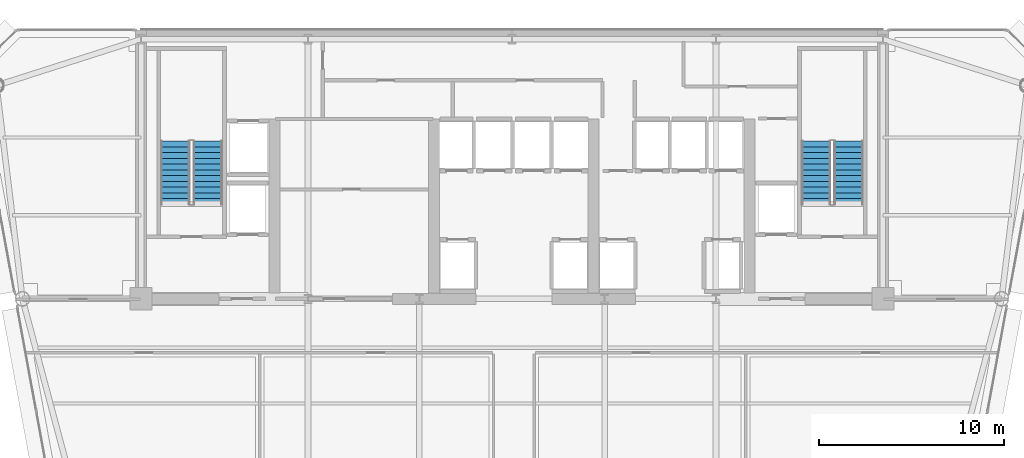
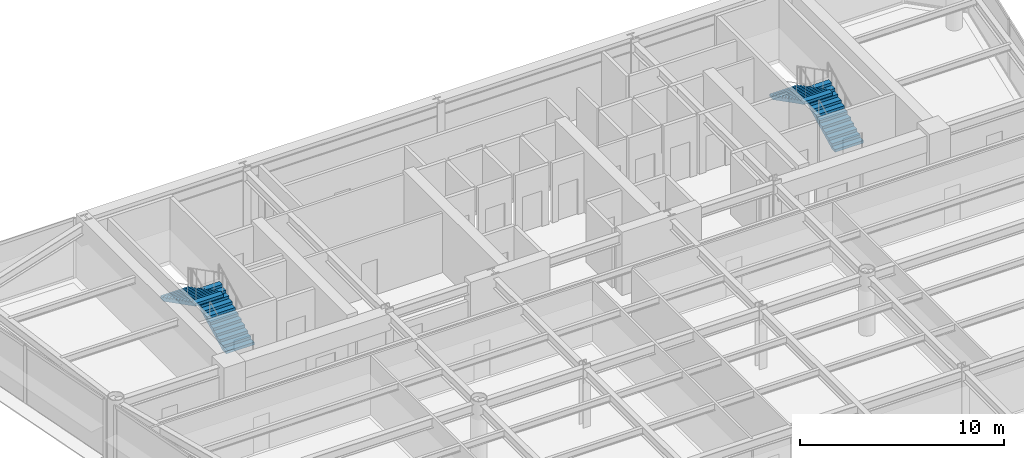
# One storey, part 11 of 15: 4 stair flights, 2 elements without a shape of their own.
"""IFC4 building model written with IfcOpenShell, lengths in metres."""

from ifc_helpers import new_model, si_unit, direction, frame, origin, place, context, subcontext, project, spatial, polyline, outline, extrude, material, type_object, element, aggregate, save


model = new_model("IFC4")

# Units and contexts
model_context = context("Model", 3, precision=1e-05, world=origin(), true_north=direction((0.0, 1.0)))
body_context = subcontext(model_context, "Body", "Model", "MODEL_VIEW")
ifc_project = project(units=[si_unit("LENGTHUNIT", "METRE"), si_unit("AREAUNIT", "SQUARE_METRE"), si_unit("VOLUMEUNIT", "CUBIC_METRE"), si_unit("PLANEANGLEUNIT", "RADIAN"), si_unit("MASSUNIT", "GRAM", prefix="KILO")], contexts=[model_context])

# Site, building, storey
site_placement = place(None, origin())
site = spatial("IfcSite", under=ifc_project, at=site_placement, CompositionType="ELEMENT")
building_placement = place(site_placement, origin())
building = spatial("IfcBuilding", under=site, at=building_placement, Name="Vaeldorn Concourse Tower", CompositionType="ELEMENT")
storey_placement = place(building_placement, frame((0.0, 0.0, 199.39990234375)))
storey = spatial("IfcBuildingStorey", under=building, at=storey_placement, Name="L51", CompositionType="ELEMENT", Elevation=199.39990234375)

# Stair, stair flights
ifc_material = material(Name="Precast concrete C40/50", Category="concrete")
stair_type = type_object("IfcStairType", Name="STR-DOG-24x158", PredefinedType="HALF_TURN_STAIR", material=ifc_material)
stair_1_placement = place(storey_placement, origin())
stair_1 = element("IfcStair", 1, at=stair_1_placement, inside=storey, type_object=stair_type, Name="L51 West Core Exit Stair ST-1", PredefinedType="HALF_TURN_STAIR")
stair_flight_type = type_object("IfcStairFlightType", Name="STF-STR-12x158", PredefinedType="STRAIGHT", material=ifc_material)
stair_flight_1_placement = place(storey_placement, frame((17.60009765625, 41.60009765625, 0.0), z_axis=(0.0, 0.0, 1.0), x_axis=(0.0, 1.0, 0.0)))
stair_flight_1 = element("IfcStairFlight", 2, at=stair_flight_1_placement, type_object=stair_flight_type, Name="ST-1 flight 1", NumberOfRisers=12, NumberOfTreads=11, PredefinedType="STRAIGHT", RiserHeight=0.158333333, TreadLength=0.31, context=body_context, shape_type="SweptSolid", body=[
    extrude(outline(polyline([(0.0, 0.0), (0.0, 0.158447265625), (0.31005859375, 0.158447265625), (0.31005859375, 0.316650390625), (0.6201171875, 0.316650390625), (0.6201171875, 0.47509765625), (0.929931640625, 0.47509765625), (0.929931640625, 0.63330078125), (1.239990234375, 0.63330078125), (1.239990234375, 0.791748046875), (1.550048828125, 0.791748046875), (1.550048828125, 0.949951171875), (1.860107421875, 0.949951171875), (1.860107421875, 1.1083984375), (2.169921875, 1.1083984375), (2.169921875, 1.2666015625), (2.47998046875, 1.2666015625), (2.47998046875, 1.425048828125), (2.7900390625, 1.425048828125), (2.7900390625, 1.583251953125), (3.10009765625, 1.583251953125), (3.10009765625, 1.74169921875), (3.409912109375, 1.74169921875), (3.409912109375, 1.89990234375), (3.409912109375, 1.5732421875), (0.32958984375, 0.0), (0.0, 0.0)])), frame((0.0, 0.800048828125, 0.0), z_axis=(0.0, -1.0, 0.0), x_axis=(1.0, 0.0, 0.0)), (0.0, 0.0, 1.0), 1.60009765625),
])
stair_flight_2_placement = place(storey_placement, frame((15.85009765625, 45.010009765625, 1.900146484375), z_axis=(0.0, 0.0, 1.0), x_axis=(0.0, -1.0, 0.0)))
stair_flight_2 = element("IfcStairFlight", 3, at=stair_flight_2_placement, type_object=stair_flight_type, Name="ST-1 flight 2", NumberOfRisers=12, NumberOfTreads=11, PredefinedType="STRAIGHT", RiserHeight=0.158333333, TreadLength=0.31, context=body_context, shape_type="SweptSolid", body=[
    extrude(outline(polyline([(0.0, 0.0), (0.0, 0.158447265625), (0.31005859375, 0.158447265625), (0.31005859375, 0.316650390625), (0.6201171875, 0.316650390625), (0.6201171875, 0.47509765625), (0.929931640625, 0.47509765625), (0.929931640625, 0.63330078125), (1.239990234375, 0.63330078125), (1.239990234375, 0.791748046875), (1.550048828125, 0.791748046875), (1.550048828125, 0.949951171875), (1.860107421875, 0.949951171875), (1.860107421875, 1.1083984375), (2.169921875, 1.1083984375), (2.169921875, 1.2666015625), (2.47998046875, 1.2666015625), (2.47998046875, 1.425048828125), (2.7900390625, 1.425048828125), (2.7900390625, 1.583251953125), (3.10009765625, 1.583251953125), (3.10009765625, 1.74169921875), (3.409912109375, 1.74169921875), (3.409912109375, 1.89990234375), (3.409912109375, 1.5732421875), (0.32958984375, 0.0), (0.0, 0.0)])), frame((0.0, 0.800048828125, 0.0), z_axis=(0.0, -1.0, 0.0), x_axis=(1.0, 0.0, 0.0)), (0.0, 0.0, 1.0), 1.60009765625),
])
aggregate(stair_1, [stair_flight_1, stair_flight_2])

stair_2_placement = place(storey_placement, origin())
stair_2 = element("IfcStair", 4, at=stair_2_placement, inside=storey, type_object=stair_type, Name="L51 East Core Exit Stair ST-2", PredefinedType="HALF_TURN_STAIR")
stair_flight_3_placement = place(storey_placement, frame((52.14990234375, 41.60009765625, 0.0), z_axis=(0.0, 0.0, 1.0), x_axis=(0.0, 1.0, 0.0)))
stair_flight_3 = element("IfcStairFlight", 5, at=stair_flight_3_placement, type_object=stair_flight_type, Name="ST-2 flight 1", NumberOfRisers=12, NumberOfTreads=11, PredefinedType="STRAIGHT", RiserHeight=0.158333333, TreadLength=0.31, context=body_context, shape_type="SweptSolid", body=[
    extrude(outline(polyline([(0.0, 0.0), (0.0, 0.158447265625), (0.31005859375, 0.158447265625), (0.31005859375, 0.316650390625), (0.6201171875, 0.316650390625), (0.6201171875, 0.47509765625), (0.929931640625, 0.47509765625), (0.929931640625, 0.63330078125), (1.239990234375, 0.63330078125), (1.239990234375, 0.791748046875), (1.550048828125, 0.791748046875), (1.550048828125, 0.949951171875), (1.860107421875, 0.949951171875), (1.860107421875, 1.1083984375), (2.169921875, 1.1083984375), (2.169921875, 1.2666015625), (2.47998046875, 1.2666015625), (2.47998046875, 1.425048828125), (2.7900390625, 1.425048828125), (2.7900390625, 1.583251953125), (3.10009765625, 1.583251953125), (3.10009765625, 1.74169921875), (3.409912109375, 1.74169921875), (3.409912109375, 1.89990234375), (3.409912109375, 1.5732421875), (0.32958984375, 0.0), (0.0, 0.0)])), frame((0.0, 0.800048828125, 0.0), z_axis=(0.0, -1.0, 0.0), x_axis=(1.0, 0.0, 0.0)), (0.0, 0.0, 1.0), 1.60009765625),
])
stair_flight_4_placement = place(storey_placement, frame((50.39990234375, 45.010009765625, 1.900146484375), z_axis=(0.0, 0.0, 1.0), x_axis=(0.0, -1.0, 0.0)))
stair_flight_4 = element("IfcStairFlight", 6, at=stair_flight_4_placement, type_object=stair_flight_type, Name="ST-2 flight 2", NumberOfRisers=12, NumberOfTreads=11, PredefinedType="STRAIGHT", RiserHeight=0.158333333, TreadLength=0.31, context=body_context, shape_type="SweptSolid", body=[
    extrude(outline(polyline([(0.0, 0.0), (0.0, 0.158447265625), (0.31005859375, 0.158447265625), (0.31005859375, 0.316650390625), (0.6201171875, 0.316650390625), (0.6201171875, 0.47509765625), (0.929931640625, 0.47509765625), (0.929931640625, 0.63330078125), (1.239990234375, 0.63330078125), (1.239990234375, 0.791748046875), (1.550048828125, 0.791748046875), (1.550048828125, 0.949951171875), (1.860107421875, 0.949951171875), (1.860107421875, 1.1083984375), (2.169921875, 1.1083984375), (2.169921875, 1.2666015625), (2.47998046875, 1.2666015625), (2.47998046875, 1.425048828125), (2.7900390625, 1.425048828125), (2.7900390625, 1.583251953125), (3.10009765625, 1.583251953125), (3.10009765625, 1.74169921875), (3.409912109375, 1.74169921875), (3.409912109375, 1.89990234375), (3.409912109375, 1.5732421875), (0.32958984375, 0.0), (0.0, 0.0)])), frame((0.0, 0.800048828125, 0.0), z_axis=(0.0, -1.0, 0.0), x_axis=(1.0, 0.0, 0.0)), (0.0, 0.0, 1.0), 1.60009765625),
])
aggregate(stair_2, [stair_flight_3, stair_flight_4])

save(model, "model.ifc")
